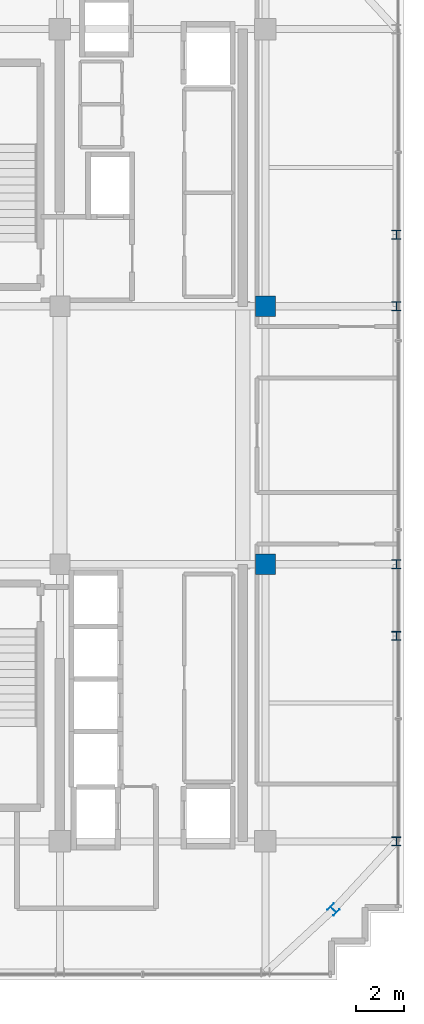
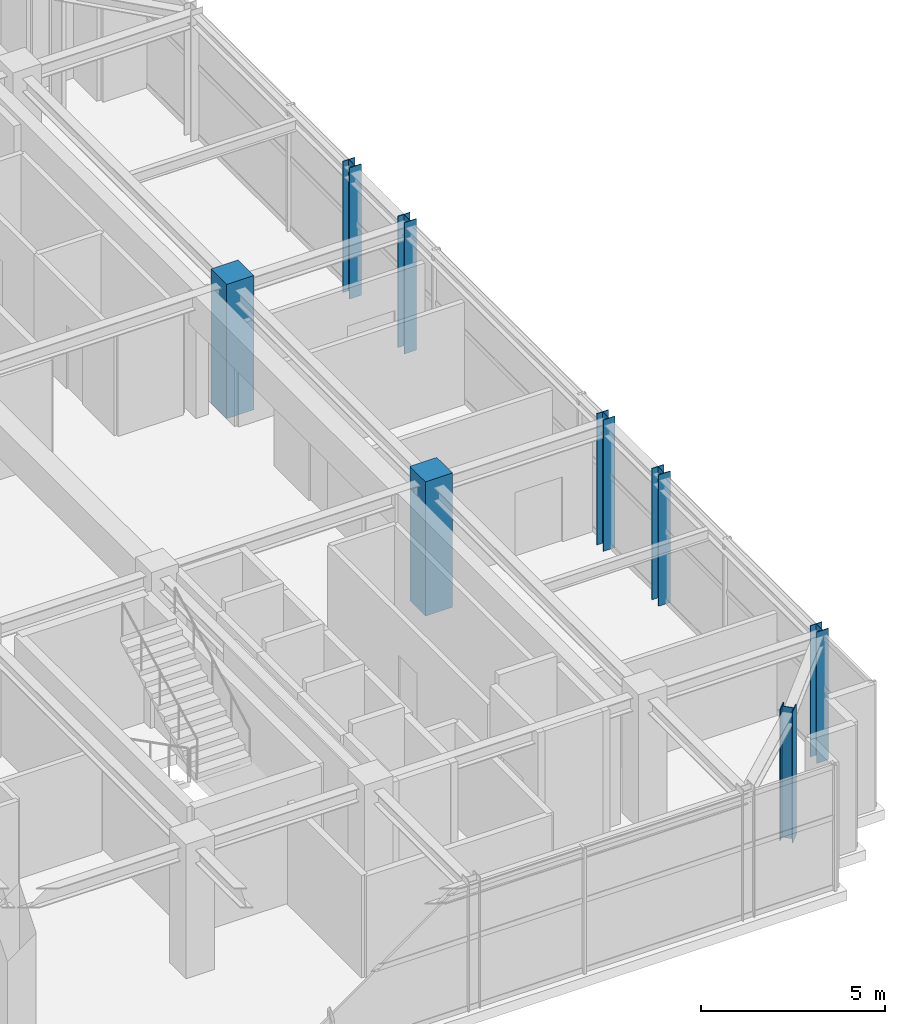
# One storey, part 2 of 20: 8 columns.
"""IFC4 building model written with IfcOpenShell, lengths in metres."""

from ifc_helpers import new_model, si_unit, direction, frame, origin, origin_2d, place, context, subcontext, project, spatial, rectangle, i_section, extrude, source, transform, mapped, material, material_profile, profile_set, type_object, element, save


model = new_model("IFC4")

# Units and contexts
model_context = context("Model", 3, precision=1e-05, world=origin(), true_north=direction((0.0, 1.0)))
body_context = subcontext(model_context, "Body", "Model", "MODEL_VIEW")
ifc_project = project(units=[si_unit("LENGTHUNIT", "METRE"), si_unit("AREAUNIT", "SQUARE_METRE"), si_unit("VOLUMEUNIT", "CUBIC_METRE"), si_unit("PLANEANGLEUNIT", "RADIAN"), si_unit("MASSUNIT", "GRAM", prefix="KILO")], contexts=[model_context])

# Site, building, storey
site_placement = place(None, origin())
site = spatial("IfcSite", under=ifc_project, at=site_placement, CompositionType="ELEMENT")
building_placement = place(site_placement, origin())
building = spatial("IfcBuilding", under=site, at=building_placement, Name="Nahalor Promenade Grand Hotel", CompositionType="ELEMENT")
storey_placement = place(building_placement, frame((0.0, 0.0, 347.550048828125)))
storey = spatial("IfcBuildingStorey", under=building, at=storey_placement, Name="L89", CompositionType="ELEMENT", Elevation=347.550048828125)

# Columns
ifc_material_1 = material(Name="Concrete B-70 (C60/75)", Category="concrete")
ifc_material_profile_1 = material_profile(ifc_material_1, rectangle(XDim=0.85, YDim=0.85, at=origin_2d()), Name="RC 850x850")
ifc_profile_set_1 = profile_set([ifc_material_profile_1], Name="Concrete B-70 (C60/75)")
column_type_1 = type_object("IfcColumnType", Name="Col-Pilaster-850", PredefinedType="PILASTER", material=ifc_profile_set_1)
shared_shape_1 = source(origin(), body_context, "Body", "SweptSolid", [
    extrude(rectangle(XDim=0.85, YDim=0.85, at=origin_2d()), origin(), (0.0, 0.0, 1.0), 4.454833984375),
])
for number, where, z_axis, x_axis, name in (
    (1, (17.0, -5.39990234375, 0.0), (0.0, 0.0, 1.0), (1.0, 0.0, 0.0), "COL-L89-I51"),
    (2, (17.0, 5.39990234375, 0.0), (0.0, 0.0, 1.0), (1.0, 0.0, 0.0), "COL-L89-I52"),
):
    element("IfcColumn", number, at=place(storey_placement, frame(where, z_axis=z_axis, x_axis=x_axis)), inside=storey, type_object=column_type_1, Name=name, PredefinedType="PILASTER", context=body_context, shape_type="MappedRepresentation", body=[
        mapped(shared_shape_1, transform((0.0, 0.0, 0.0), scale=1.0)),
    ])
ifc_material_2 = material(Name="Steel S355JR", Category="steel")
ifc_material_profile_2 = material_profile(ifc_material_2, i_section(OverallWidth=0.374, OverallDepth=0.374, WebThickness=0.0144, FlangeThickness=0.0229, at=origin_2d()), Name="HD 360x262")
ifc_profile_set_2 = profile_set([ifc_material_profile_2], Name="Steel S355JR")
column_type_2 = type_object("IfcColumnType", Name="Col-Steel-HD262", PredefinedType="COLUMN", material=ifc_profile_set_2)
shared_shape_2 = source(origin(), body_context, "Body", "SweptSolid", [
    extrude(i_section(OverallWidth=0.374, OverallDepth=0.374, WebThickness=0.0144, FlangeThickness=0.0229, at=origin_2d()), origin(), (0.0, 0.0, 1.0), 4.35498046875),
])
for number, where, z_axis, x_axis, name in (
    (3, (22.47998046875, -17.0, 0.0), (0.0, 0.0, 1.0), (1.0, 0.0, 0.0), "COL-L89-PW-E0"),
    (4, (22.47998046875, -8.39990234375, 0.0), (0.0, 0.0, 1.0), (1.0, 0.0, 0.0), "COL-L89-PW-E1"),
    (5, (22.47998046875, -5.39990234375, 0.0), (0.0, 0.0, 1.0), (1.0, 0.0, 0.0), "COL-L89-PW-E2"),
    (6, (22.47998046875, 5.39990234375, 0.0), (0.0, 0.0, 1.0), (1.0, 0.0, 0.0), "COL-L89-PW-E3"),
    (7, (22.47998046875, 8.39990234375, 0.0), (0.0, 0.0, 1.0), (1.0, 0.0, 0.0), "COL-L89-PW-E4"),
    (8, (19.85009765625, -19.85009765625, 0.0), (0.0, 0.0, 1.0), (0.707106781187, 0.707106781187, 0.0), "COL-L89-CRN-SE"),
):
    element("IfcColumn", number, at=place(storey_placement, frame(where, z_axis=z_axis, x_axis=x_axis)), inside=storey, type_object=column_type_2, Name=name, PredefinedType="COLUMN", context=body_context, shape_type="MappedRepresentation", body=[
        mapped(shared_shape_2, transform((0.0, 0.0, 0.0), scale=1.0)),
    ])

save(model, "model.ifc")
